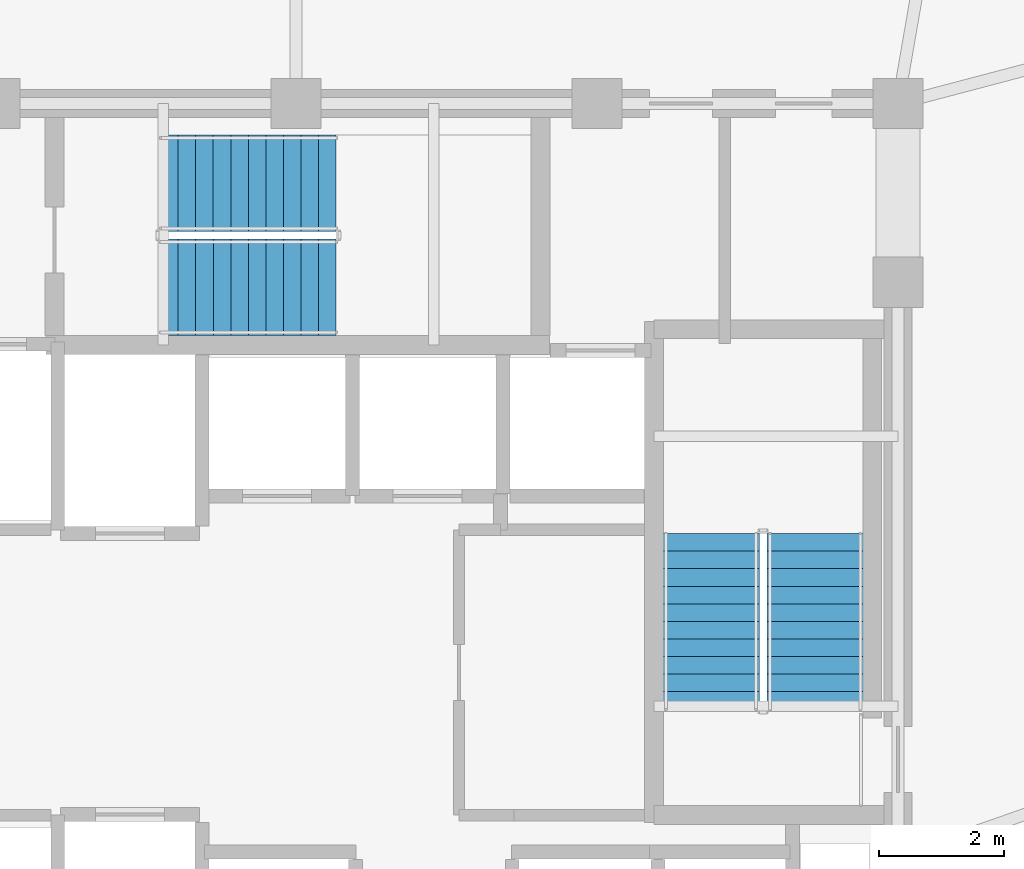
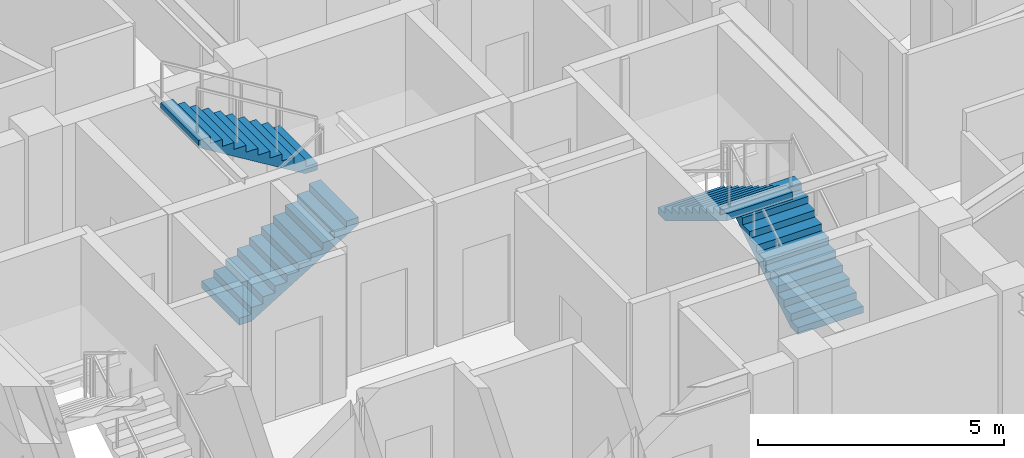
# One storey, part 26 of 30: 4 stair flights, 2 elements without a shape of their own.
"""IFC4 building model written with IfcOpenShell, lengths in metres."""

from ifc_helpers import new_model, si_unit, direction, frame, origin, place, context, subcontext, project, spatial, polyline, outline, extrude, material, type_object, element, aggregate, save


model = new_model("IFC4")

# Units and contexts
model_context = context("Model", 3, precision=1e-05, world=origin(), true_north=direction((0.0, 1.0)))
body_context = subcontext(model_context, "Body", "Model", "MODEL_VIEW")
ifc_project = project(units=[si_unit("LENGTHUNIT", "METRE"), si_unit("AREAUNIT", "SQUARE_METRE"), si_unit("VOLUMEUNIT", "CUBIC_METRE"), si_unit("PLANEANGLEUNIT", "RADIAN"), si_unit("MASSUNIT", "GRAM", prefix="KILO")], contexts=[model_context])

# Site, building, storey
site_placement = place(None, origin())
site = spatial("IfcSite", under=ifc_project, at=site_placement, CompositionType="ELEMENT")
building_placement = place(site_placement, origin())
building = spatial("IfcBuilding", under=site, at=building_placement, Name="Vantalir Tower", CompositionType="ELEMENT")
storey_placement = place(building_placement, frame((0.0, 0.0, 193.64990234375)))
storey = spatial("IfcBuildingStorey", under=building, at=storey_placement, Name="L48", CompositionType="ELEMENT", Elevation=193.64990234375)

# Stair, stair flights
ifc_material = material(Name="Concrete C40/50", Category="concrete")
stair_type = type_object("IfcStairType", Name="STR-CORE-1450", PredefinedType="HALF_TURN_STAIR", material=ifc_material)
stair_1_placement = place(storey_placement, origin())
stair_1 = element("IfcStair", 1, at=stair_1_placement, inside=storey, type_object=stair_type, Name="L48 Core Exit Stair 2", PredefinedType="HALF_TURN_STAIR")
stair_flight_type = type_object("IfcStairFlightType", Name="FLT-CORE-1450", PredefinedType="STRAIGHT", material=ifc_material)
stair_flight_1_placement = place(storey_placement, frame((39.780029296875, 22.7900390625, 0.0), z_axis=(0.0, 0.0, 1.0), x_axis=(0.0, 1.0, 0.0)))
stair_flight_1 = element("IfcStairFlight", 2, at=stair_flight_1_placement, type_object=stair_flight_type, Name="ST2 flight 1", NumberOfRisers=11, NumberOfTreads=10, PredefinedType="STRAIGHT", RiserHeight=0.170454545, TreadLength=0.28, context=body_context, shape_type="SweptSolid", body=[
    extrude(outline(polyline([(0.0, 0.0), (0.0, 0.17041015625), (0.280029296875, 0.17041015625), (0.280029296875, 0.3408203125), (0.56005859375, 0.3408203125), (0.56005859375, 0.511474609375), (0.840087890625, 0.511474609375), (0.840087890625, 0.681884765625), (1.1201171875, 0.681884765625), (1.1201171875, 0.852294921875), (1.39990234375, 0.852294921875), (1.39990234375, 1.022705078125), (1.679931640625, 1.022705078125), (1.679931640625, 1.193115234375), (1.9599609375, 1.193115234375), (1.9599609375, 1.363525390625), (2.239990234375, 1.363525390625), (2.239990234375, 1.5341796875), (2.52001953125, 1.5341796875), (2.52001953125, 1.70458984375), (2.800048828125, 1.70458984375), (2.800048828125, 1.875), (2.800048828125, 1.529052734375), (0.288330078125, 0.0), (0.0, 0.0)])), frame((0.0, 0.77001953125, 0.0), z_axis=(0.0, -1.0, 0.0), x_axis=(1.0, 0.0, 0.0)), (0.0, 0.0, 1.0), 1.5400390625),
])
stair_flight_2_placement = place(storey_placement, frame((38.1201171875, 25.590087890625, 1.875), z_axis=(0.0, 0.0, 1.0), x_axis=(0.0, -1.0, 0.0)))
stair_flight_2 = element("IfcStairFlight", 3, at=stair_flight_2_placement, type_object=stair_flight_type, Name="ST2 flight 2", NumberOfRisers=11, NumberOfTreads=10, PredefinedType="STRAIGHT", RiserHeight=0.170454545, TreadLength=0.28, context=body_context, shape_type="SweptSolid", body=[
    extrude(outline(polyline([(0.0, 0.0), (0.0, 0.17041015625), (0.280029296875, 0.17041015625), (0.280029296875, 0.3408203125), (0.56005859375, 0.3408203125), (0.56005859375, 0.511474609375), (0.840087890625, 0.511474609375), (0.840087890625, 0.681884765625), (1.1201171875, 0.681884765625), (1.1201171875, 0.852294921875), (1.39990234375, 0.852294921875), (1.39990234375, 1.022705078125), (1.679931640625, 1.022705078125), (1.679931640625, 1.193115234375), (1.9599609375, 1.193115234375), (1.9599609375, 1.363525390625), (2.239990234375, 1.363525390625), (2.239990234375, 1.5341796875), (2.52001953125, 1.5341796875), (2.52001953125, 1.70458984375), (2.800048828125, 1.70458984375), (2.800048828125, 1.875), (2.800048828125, 1.529052734375), (0.288330078125, 0.0), (0.0, 0.0)])), frame((0.0, 0.77001953125, 0.0), z_axis=(0.0, -1.0, 0.0), x_axis=(1.0, 0.0, 0.0)), (0.0, 0.0, 1.0), 1.5400390625),
])
aggregate(stair_1, [stair_flight_1, stair_flight_2])

stair_2_placement = place(storey_placement, origin())
stair_2 = element("IfcStair", 4, at=stair_2_placement, inside=storey, type_object=stair_type, Name="L48 Core Exit Stair 3", PredefinedType="HALF_TURN_STAIR")
stair_flight_3_placement = place(storey_placement, frame((29.340087890625, 29.52001953125, 0.0), z_axis=(0.0, 0.0, 1.0), x_axis=(1.0, 0.0, 0.0)))
stair_flight_3 = element("IfcStairFlight", 5, at=stair_flight_3_placement, type_object=stair_flight_type, Name="ST3 flight 1", NumberOfRisers=11, NumberOfTreads=10, PredefinedType="STRAIGHT", RiserHeight=0.170454545, TreadLength=0.28, context=body_context, shape_type="SweptSolid", body=[
    extrude(outline(polyline([(0.0, 0.0), (0.0, 0.17041015625), (0.280029296875, 0.17041015625), (0.280029296875, 0.3408203125), (0.56005859375, 0.3408203125), (0.56005859375, 0.511474609375), (0.840087890625, 0.511474609375), (0.840087890625, 0.681884765625), (1.1201171875, 0.681884765625), (1.1201171875, 0.852294921875), (1.39990234375, 0.852294921875), (1.39990234375, 1.022705078125), (1.679931640625, 1.022705078125), (1.679931640625, 1.193115234375), (1.9599609375, 1.193115234375), (1.9599609375, 1.363525390625), (2.239990234375, 1.363525390625), (2.239990234375, 1.5341796875), (2.52001953125, 1.5341796875), (2.52001953125, 1.70458984375), (2.800048828125, 1.70458984375), (2.800048828125, 1.875), (2.800048828125, 1.529052734375), (0.288330078125, 0.0), (0.0, 0.0)])), frame((0.0, 0.77001953125, 0.0), z_axis=(0.0, -1.0, 0.0), x_axis=(1.0, 0.0, 0.0)), (0.0, 0.0, 1.0), 1.5400390625),
])
stair_flight_4_placement = place(storey_placement, frame((32.139892578125, 31.179931640625, 1.875), z_axis=(0.0, 0.0, 1.0), x_axis=(-1.0, 0.0, 0.0)))
stair_flight_4 = element("IfcStairFlight", 6, at=stair_flight_4_placement, type_object=stair_flight_type, Name="ST3 flight 2", NumberOfRisers=11, NumberOfTreads=10, PredefinedType="STRAIGHT", RiserHeight=0.170454545, TreadLength=0.28, context=body_context, shape_type="SweptSolid", body=[
    extrude(outline(polyline([(0.0, 0.0), (0.0, 0.17041015625), (0.280029296875, 0.17041015625), (0.280029296875, 0.3408203125), (0.56005859375, 0.3408203125), (0.56005859375, 0.511474609375), (0.840087890625, 0.511474609375), (0.840087890625, 0.681884765625), (1.1201171875, 0.681884765625), (1.1201171875, 0.852294921875), (1.39990234375, 0.852294921875), (1.39990234375, 1.022705078125), (1.679931640625, 1.022705078125), (1.679931640625, 1.193115234375), (1.9599609375, 1.193115234375), (1.9599609375, 1.363525390625), (2.239990234375, 1.363525390625), (2.239990234375, 1.5341796875), (2.52001953125, 1.5341796875), (2.52001953125, 1.70458984375), (2.800048828125, 1.70458984375), (2.800048828125, 1.875), (2.800048828125, 1.529052734375), (0.288330078125, 0.0), (0.0, 0.0)])), frame((0.0, 0.77001953125, 0.0), z_axis=(0.0, -1.0, 0.0), x_axis=(1.0, 0.0, 0.0)), (0.0, 0.0, 1.0), 1.5400390625),
])
aggregate(stair_2, [stair_flight_3, stair_flight_4])

save(model, "model.ifc")
